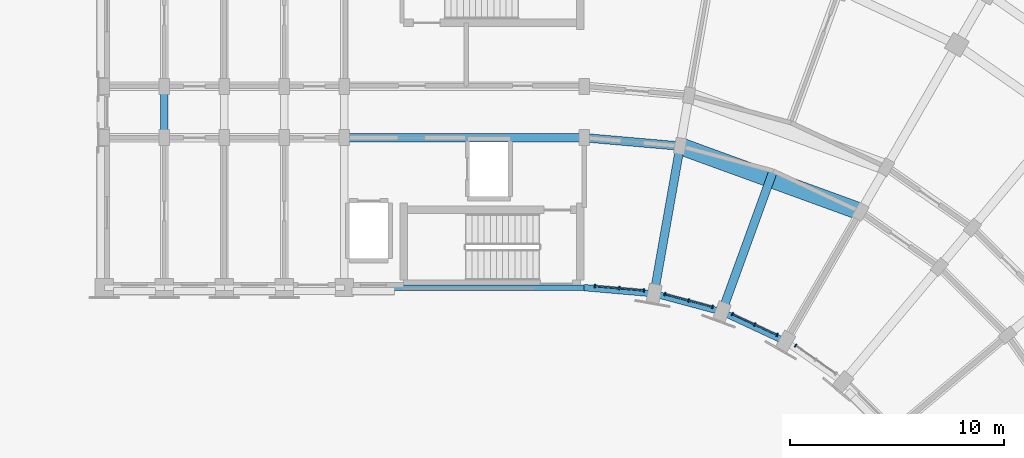
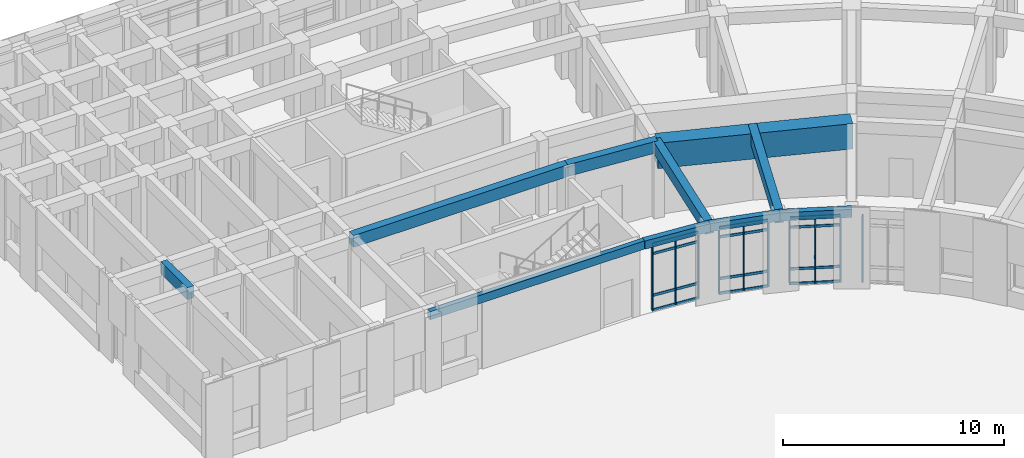
# One storey, part 45 of 135: 22 members, 10 beams, 4 elements without a shape of their own.
"""IFC4 building model written with IfcOpenShell, lengths in metres."""

from ifc_helpers import new_model, si_unit, direction, frame, origin, origin_2d, place, context, subcontext, project, spatial, rectangle, extrude, material, material_profile, profile_set, type_object, element, aggregate, save


model = new_model("IFC4")

# Units and contexts
model_context = context("Model", 3, precision=1e-05, world=origin(), true_north=direction((0.0, 1.0)))
body_context = subcontext(model_context, "Body", "Model", "MODEL_VIEW")
ifc_project = project(units=[si_unit("LENGTHUNIT", "METRE"), si_unit("AREAUNIT", "SQUARE_METRE"), si_unit("VOLUMEUNIT", "CUBIC_METRE"), si_unit("PLANEANGLEUNIT", "RADIAN"), si_unit("MASSUNIT", "GRAM", prefix="KILO")], contexts=[model_context])

# Site, building, storey
site_placement = place(None, origin())
site = spatial("IfcSite", under=ifc_project, at=site_placement, CompositionType="ELEMENT")
building_placement = place(site_placement, origin())
building = spatial("IfcBuilding", under=site, at=building_placement, Name="Kiranvali Square Residences", CompositionType="ELEMENT")
storey_placement = place(building_placement, origin())
storey = spatial("IfcBuildingStorey", under=building, at=storey_placement, Name="L00", CompositionType="ELEMENT", Elevation=0.0)

# Beams
ifc_material_1 = material(Name="Concrete M40 (40 MPa)", Category="concrete")
ifc_material_profile_1 = material_profile(ifc_material_1, rectangle(XDim=0.35009765625, YDim=0.64990234375, at=origin_2d()), Name="RC 350x650")
ifc_profile_set_1 = profile_set([ifc_material_profile_1], Name="Concrete M40 (40 MPa)")
beam_type_1 = type_object("IfcBeamType", Name="BM-M40-350x650", PredefinedType="BEAM", material=ifc_profile_set_1)
beam_1_placement = place(storey_placement, frame((100.199951171875, 113.60009765625, 3.824951171875), z_axis=(0.0, 1.0, 0.0), x_axis=(-1.0, 0.0, 0.0)))
element("IfcBeam", 1, at=beam_1_placement, inside=storey, type_object=beam_type_1, Name="L00 beam BM-B-L00-A1T4-12", PredefinedType="BEAM", context=body_context, shape_type="SweptSolid", body=[
    extrude(rectangle(XDim=0.35009765625, YDim=0.64990234375, at=origin_2d()), origin(), (0.0, 0.0, 1.0), 2.39990234375),
])
ifc_material_2 = material(Name="Concrete M45 (45 MPa)", Category="concrete")
ifc_material_profile_2 = material_profile(ifc_material_2, rectangle(XDim=0.39990234375, YDim=0.64990234375, at=origin_2d()), Name="RC 400x650")
ifc_profile_set_2 = profile_set([ifc_material_profile_2], Name="Concrete M45 (45 MPa)")
beam_type_2 = type_object("IfcBeamType", Name="BM-M45-400x650", PredefinedType="BEAM", material=ifc_profile_set_2)
beam_2_placement = place(storey_placement, frame((119.800048828125, 113.60009765625, 3.824951171875), z_axis=(0.996191949488, -0.087187153726, 0.0), x_axis=(0.087187153726, 0.996191949488, 0.0)))
element("IfcBeam", 2, at=beam_2_placement, inside=storey, type_object=beam_type_2, Name="L00 beam BM-B-L00-C00-R1", PredefinedType="BEAM", context=body_context, shape_type="SweptSolid", body=[
    extrude(rectangle(XDim=0.39990234375, YDim=0.64990234375, at=origin_2d()), origin(), (0.0, 0.0, 1.0), 4.4970703125),
])
beam_3_placement = place(storey_placement, frame((123.064697265625, 106.314453125, 3.824951171875), z_axis=(0.173622177865, 0.984812337125, 0.0), x_axis=(-0.984812337125, 0.173622177865, 0.0)))
element("IfcBeam", 3, at=beam_3_placement, inside=storey, type_object=beam_type_2, Name="L00 beam BM-B-L00-RAD01-01", PredefinedType="BEAM", context=body_context, shape_type="SweptSolid", body=[
    extrude(rectangle(XDim=0.39990234375, YDim=0.64990234375, at=origin_2d()), origin(), (0.0, 0.0, 1.0), 6.999755859375),
])
beam_4_placement = place(storey_placement, frame((126.22998046875, 105.46630859375, 3.824951171875), z_axis=(0.342006283793, 0.939697665127, 0.0), x_axis=(-0.939697665127, 0.342006283793, 0.0)))
element("IfcBeam", 4, at=beam_4_placement, inside=storey, type_object=beam_type_2, Name="L00 beam BM-B-L00-RAD02-01", PredefinedType="BEAM", context=body_context, shape_type="SweptSolid", body=[
    extrude(rectangle(XDim=0.39990234375, YDim=0.64990234375, at=origin_2d()), origin(), (0.0, 0.0, 1.0), 7.0),
])
beam_5_placement = place(storey_placement, frame((119.800048828125, 113.60009765625, 3.824951171875), z_axis=(-1.0, 0.0, 0.0), x_axis=(0.0, -1.0, 0.0)))
element("IfcBeam", 5, at=beam_5_placement, inside=storey, type_object=beam_type_2, Name="L00 beam BM-B-L00-A1U0-R1", PredefinedType="BEAM", context=body_context, shape_type="SweptSolid", body=[
    extrude(rectangle(XDim=0.39990234375, YDim=0.64990234375, at=origin_2d()), origin(), (0.0, 0.0, 1.0), 11.199951171875),
])

# Curtain wall, members
ifc_material_3 = material(Name="Anodised bronze aluminium framing", Category="aluminium")
curtain_wall_type = type_object("IfcCurtainWallType", Name="CW-RET-SHOP", PredefinedType="USERDEFINED", material=ifc_material_3)
curtain_wall_1_placement = place(storey_placement, origin())
curtain_wall_1 = element("IfcCurtainWall", 6, at=curtain_wall_1_placement, inside=storey, type_object=curtain_wall_type, Name="Block B L00 garden foyer curtain wall 1", ObjectType="CURTAIN WALL", PredefinedType="USERDEFINED")
ifc_material_profile_3 = material_profile(ifc_material_3, rectangle(XDim=0.06494140625, YDim=0.159912109375, at=origin_2d()), Name="ALU 65x160")
ifc_profile_set_3 = profile_set([ifc_material_profile_3], Name="Anodised bronze aluminium framing")
member_type_1 = type_object("IfcMemberType", Name="CW-MUL-160", PredefinedType="MULLION", material=ifc_profile_set_3)
member_1_placement = place(storey_placement, frame((120.298583984375, 106.6767578125, 0.02001953125), z_axis=(0.0, 0.0, 1.0), x_axis=(0.996194698092, -0.087155742748, 0.0)))
member_1 = element("IfcMember", 7, at=member_1_placement, type_object=member_type_1, Name="CW-B-L00-GDN-00 vertical mullion 1", PredefinedType="MULLION", context=body_context, shape_type="SweptSolid", body=[
    extrude(rectangle(XDim=0.06494140625, YDim=0.159912109375, at=origin_2d()), origin(), (0.0, 0.0, 1.0), 3.659912109375),
])
member_2_placement = place(storey_placement, frame((121.44287109375, 106.57666015625, 0.02001953125), z_axis=(0.0, 0.0, 1.0), x_axis=(0.996194698092, -0.087155742748, 0.0)))
member_2 = element("IfcMember", 8, at=member_2_placement, type_object=member_type_1, Name="CW-B-L00-GDN-00 vertical mullion 2", PredefinedType="MULLION", context=body_context, shape_type="SweptSolid", body=[
    extrude(rectangle(XDim=0.06494140625, YDim=0.159912109375, at=origin_2d()), origin(), (0.0, 0.0, 1.0), 3.659912109375),
])
member_3_placement = place(storey_placement, frame((122.5869140625, 106.4765625, 0.02001953125), z_axis=(0.0, 0.0, 1.0), x_axis=(0.996194698092, -0.087155742748, 0.0)))
member_3 = element("IfcMember", 9, at=member_3_placement, type_object=member_type_1, Name="CW-B-L00-GDN-00 vertical mullion 3", PredefinedType="MULLION", context=body_context, shape_type="SweptSolid", body=[
    extrude(rectangle(XDim=0.06494140625, YDim=0.159912109375, at=origin_2d()), origin(), (0.0, 0.0, 1.0), 3.659912109375),
])

curtain_wall_2_placement = place(storey_placement, origin())
curtain_wall_2 = element("IfcCurtainWall", 10, at=curtain_wall_2_placement, inside=storey, type_object=curtain_wall_type, Name="Block B L00 garden foyer curtain wall 2", ObjectType="CURTAIN WALL", PredefinedType="USERDEFINED")
member_4_placement = place(storey_placement, frame((123.56884765625, 106.303466796875, 0.02001953125), z_axis=(0.0, 0.0, 1.0), x_axis=(0.965925826289, -0.258819045103, 0.0)))
member_4 = element("IfcMember", 11, at=member_4_placement, type_object=member_type_1, Name="CW-B-L00-GDN-01 vertical mullion 1", PredefinedType="MULLION", context=body_context, shape_type="SweptSolid", body=[
    extrude(rectangle(XDim=0.06494140625, YDim=0.159912109375, at=origin_2d()), origin(), (0.0, 0.0, 1.0), 3.659912109375),
])
member_5_placement = place(storey_placement, frame((124.67822265625, 106.006103515625, 0.02001953125), z_axis=(0.0, 0.0, 1.0), x_axis=(0.965925826289, -0.258819045103, 0.0)))
member_5 = element("IfcMember", 12, at=member_5_placement, type_object=member_type_1, Name="CW-B-L00-GDN-01 vertical mullion 2", PredefinedType="MULLION", context=body_context, shape_type="SweptSolid", body=[
    extrude(rectangle(XDim=0.06494140625, YDim=0.159912109375, at=origin_2d()), origin(), (0.0, 0.0, 1.0), 3.659912109375),
])
member_6_placement = place(storey_placement, frame((125.787841796875, 105.708984375, 0.02001953125), z_axis=(0.0, 0.0, 1.0), x_axis=(0.965925826289, -0.258819045103, 0.0)))
member_6 = element("IfcMember", 13, at=member_6_placement, type_object=member_type_1, Name="CW-B-L00-GDN-01 vertical mullion 3", PredefinedType="MULLION", context=body_context, shape_type="SweptSolid", body=[
    extrude(rectangle(XDim=0.06494140625, YDim=0.159912109375, at=origin_2d()), origin(), (0.0, 0.0, 1.0), 3.659912109375),
])

curtain_wall_3_placement = place(storey_placement, origin())
curtain_wall_3 = element("IfcCurtainWall", 14, at=curtain_wall_3_placement, inside=storey, type_object=curtain_wall_type, Name="Block B L00 garden foyer curtain wall 3", ObjectType="CURTAIN WALL", PredefinedType="USERDEFINED")
member_7_placement = place(storey_placement, frame((126.724853515625, 105.367919921875, 0.02001953125), z_axis=(0.0, 0.0, 1.0), x_axis=(0.906307787037, -0.422618261741, 0.0)))
member_7 = element("IfcMember", 15, at=member_7_placement, type_object=member_type_1, Name="CW-B-L00-GDN-02 vertical mullion 1", PredefinedType="MULLION", context=body_context, shape_type="SweptSolid", body=[
    extrude(rectangle(XDim=0.06494140625, YDim=0.159912109375, at=origin_2d()), origin(), (0.0, 0.0, 1.0), 3.659912109375),
])
member_8_placement = place(storey_placement, frame((127.765625, 104.882568359375, 0.02001953125), z_axis=(0.0, 0.0, 1.0), x_axis=(0.906307787037, -0.422618261741, 0.0)))
member_8 = element("IfcMember", 16, at=member_8_placement, type_object=member_type_1, Name="CW-B-L00-GDN-02 vertical mullion 2", PredefinedType="MULLION", context=body_context, shape_type="SweptSolid", body=[
    extrude(rectangle(XDim=0.06494140625, YDim=0.159912109375, at=origin_2d()), origin(), (0.0, 0.0, 1.0), 3.659912109375),
])
member_9_placement = place(storey_placement, frame((128.806640625, 104.397216796875, 0.02001953125), z_axis=(0.0, 0.0, 1.0), x_axis=(0.906307787037, -0.422618261741, 0.0)))
member_9 = element("IfcMember", 17, at=member_9_placement, type_object=member_type_1, Name="CW-B-L00-GDN-02 vertical mullion 3", PredefinedType="MULLION", context=body_context, shape_type="SweptSolid", body=[
    extrude(rectangle(XDim=0.06494140625, YDim=0.159912109375, at=origin_2d()), origin(), (0.0, 0.0, 1.0), 3.659912109375),
])

# Curtain wall, member
curtain_wall_4_placement = place(storey_placement, origin())
curtain_wall_4 = element("IfcCurtainWall", 18, at=curtain_wall_4_placement, inside=storey, type_object=curtain_wall_type, Name="Block B L00 garden foyer curtain wall 4", ObjectType="CURTAIN WALL", PredefinedType="USERDEFINED")
member_10_placement = place(storey_placement, frame((129.670166015625, 103.8984375, 0.02001953125), z_axis=(0.0, 0.0, 1.0), x_axis=(0.819152044289, -0.573576436351, 0.0)))
member_10 = element("IfcMember", 19, at=member_10_placement, type_object=member_type_1, Name="CW-B-L00-GDN-03 vertical mullion 1", PredefinedType="MULLION", context=body_context, shape_type="SweptSolid", body=[
    extrude(rectangle(XDim=0.06494140625, YDim=0.159912109375, at=origin_2d()), origin(), (0.0, 0.0, 1.0), 3.659912109375),
])
aggregate(curtain_wall_4, [member_10])

# Member
ifc_material_profile_4 = material_profile(ifc_material_3, rectangle(XDim=0.06494140625, YDim=0.139892578125, at=origin_2d()), Name="ALU 65x140")
ifc_profile_set_4 = profile_set([ifc_material_profile_4], Name="Anodised bronze aluminium framing")
member_type_2 = type_object("IfcMemberType", Name="CW-TRN-140", PredefinedType="MULLION", material=ifc_profile_set_4)
member_11_placement = place(storey_placement, frame((120.30859375, 106.676025390625, 0.0400390625), z_axis=(0.996193368341, -0.08717094053, 0.0), x_axis=(0.08717094053, 0.996193368341, 0.0)))
member_11 = element("IfcMember", 20, at=member_11_placement, type_object=member_type_2, Name="CW-B-L00-GDN-00 horizontal transom 1", PredefinedType="MULLION", context=body_context, shape_type="SweptSolid", body=[
    extrude(rectangle(XDim=0.06494140625, YDim=0.139892578125, at=origin_2d()), origin(), (0.0, 0.0, 1.0), 2.277099609375),
])

member_12_placement = place(storey_placement, frame((120.30859375, 106.676025390625, 0.85009765625), z_axis=(0.996193368341, -0.08717094053, 0.0), x_axis=(0.08717094053, 0.996193368341, 0.0)))
member_12 = element("IfcMember", 21, at=member_12_placement, type_object=member_type_2, Name="CW-B-L00-GDN-00 horizontal transom 2", PredefinedType="MULLION", context=body_context, shape_type="SweptSolid", body=[
    extrude(rectangle(XDim=0.06494140625, YDim=0.139892578125, at=origin_2d()), origin(), (0.0, 0.0, 1.0), 2.277099609375),
])

member_13_placement = place(storey_placement, frame((120.30859375, 106.676025390625, 3.14990234375), z_axis=(0.996193368341, -0.08717094053, 0.0), x_axis=(0.08717094053, 0.996193368341, 0.0)))
member_13 = element("IfcMember", 22, at=member_13_placement, type_object=member_type_2, Name="CW-B-L00-GDN-00 horizontal transom 3", PredefinedType="MULLION", context=body_context, shape_type="SweptSolid", body=[
    extrude(rectangle(XDim=0.06494140625, YDim=0.139892578125, at=origin_2d()), origin(), (0.0, 0.0, 1.0), 2.277099609375),
])

member_14_placement = place(storey_placement, frame((120.30859375, 106.676025390625, 3.659912109375), z_axis=(0.996193368341, -0.08717094053, 0.0), x_axis=(0.08717094053, 0.996193368341, 0.0)))
member_14 = element("IfcMember", 23, at=member_14_placement, type_object=member_type_2, Name="CW-B-L00-GDN-00 horizontal transom 4", PredefinedType="MULLION", context=body_context, shape_type="SweptSolid", body=[
    extrude(rectangle(XDim=0.06494140625, YDim=0.139892578125, at=origin_2d()), origin(), (0.0, 0.0, 1.0), 2.277099609375),
])

aggregate(curtain_wall_1, [member_1, member_2, member_3, member_11, member_12, member_13, member_14])

member_15_placement = place(storey_placement, frame((123.57861328125, 106.30078125, 0.0400390625), z_axis=(0.965924600635, -0.258823619262, 0.0), x_axis=(0.258823619262, 0.965924600635, 0.0)))
member_15 = element("IfcMember", 24, at=member_15_placement, type_object=member_type_2, Name="CW-B-L00-GDN-01 horizontal transom 1", PredefinedType="MULLION", context=body_context, shape_type="SweptSolid", body=[
    extrude(rectangle(XDim=0.06494140625, YDim=0.139892578125, at=origin_2d()), origin(), (0.0, 0.0, 1.0), 2.277099609375),
])

member_16_placement = place(storey_placement, frame((123.57861328125, 106.30078125, 0.85009765625), z_axis=(0.965924600635, -0.258823619262, 0.0), x_axis=(0.258823619262, 0.965924600635, 0.0)))
member_16 = element("IfcMember", 25, at=member_16_placement, type_object=member_type_2, Name="CW-B-L00-GDN-01 horizontal transom 2", PredefinedType="MULLION", context=body_context, shape_type="SweptSolid", body=[
    extrude(rectangle(XDim=0.06494140625, YDim=0.139892578125, at=origin_2d()), origin(), (0.0, 0.0, 1.0), 2.277099609375),
])

member_17_placement = place(storey_placement, frame((123.57861328125, 106.30078125, 3.14990234375), z_axis=(0.965924600635, -0.258823619262, 0.0), x_axis=(0.258823619262, 0.965924600635, 0.0)))
member_17 = element("IfcMember", 26, at=member_17_placement, type_object=member_type_2, Name="CW-B-L00-GDN-01 horizontal transom 3", PredefinedType="MULLION", context=body_context, shape_type="SweptSolid", body=[
    extrude(rectangle(XDim=0.06494140625, YDim=0.139892578125, at=origin_2d()), origin(), (0.0, 0.0, 1.0), 2.277099609375),
])

member_18_placement = place(storey_placement, frame((123.57861328125, 106.30078125, 3.659912109375), z_axis=(0.965924600635, -0.258823619262, 0.0), x_axis=(0.258823619262, 0.965924600635, 0.0)))
member_18 = element("IfcMember", 27, at=member_18_placement, type_object=member_type_2, Name="CW-B-L00-GDN-01 horizontal transom 4", PredefinedType="MULLION", context=body_context, shape_type="SweptSolid", body=[
    extrude(rectangle(XDim=0.06494140625, YDim=0.139892578125, at=origin_2d()), origin(), (0.0, 0.0, 1.0), 2.277099609375),
])

aggregate(curtain_wall_2, [member_4, member_5, member_6, member_15, member_16, member_17, member_18])

member_19_placement = place(storey_placement, frame((126.73388671875, 105.36376953125, 0.0400390625), z_axis=(0.906295410754, -0.42264480175, 0.0), x_axis=(0.42264480175, 0.906295410754, 0.0)))
member_19 = element("IfcMember", 28, at=member_19_placement, type_object=member_type_2, Name="CW-B-L00-GDN-02 horizontal transom 1", PredefinedType="MULLION", context=body_context, shape_type="SweptSolid", body=[
    extrude(rectangle(XDim=0.06494140625, YDim=0.139892578125, at=origin_2d()), origin(), (0.0, 0.0, 1.0), 2.277099609375),
])

member_20_placement = place(storey_placement, frame((126.73388671875, 105.36376953125, 0.85009765625), z_axis=(0.906295410754, -0.42264480175, 0.0), x_axis=(0.42264480175, 0.906295410754, 0.0)))
member_20 = element("IfcMember", 29, at=member_20_placement, type_object=member_type_2, Name="CW-B-L00-GDN-02 horizontal transom 2", PredefinedType="MULLION", context=body_context, shape_type="SweptSolid", body=[
    extrude(rectangle(XDim=0.06494140625, YDim=0.139892578125, at=origin_2d()), origin(), (0.0, 0.0, 1.0), 2.277099609375),
])

member_21_placement = place(storey_placement, frame((126.73388671875, 105.36376953125, 3.14990234375), z_axis=(0.906295410754, -0.42264480175, 0.0), x_axis=(0.42264480175, 0.906295410754, 0.0)))
member_21 = element("IfcMember", 30, at=member_21_placement, type_object=member_type_2, Name="CW-B-L00-GDN-02 horizontal transom 3", PredefinedType="MULLION", context=body_context, shape_type="SweptSolid", body=[
    extrude(rectangle(XDim=0.06494140625, YDim=0.139892578125, at=origin_2d()), origin(), (0.0, 0.0, 1.0), 2.277099609375),
])

member_22_placement = place(storey_placement, frame((126.73388671875, 105.36376953125, 3.659912109375), z_axis=(0.906295410754, -0.42264480175, 0.0), x_axis=(0.42264480175, 0.906295410754, 0.0)))
member_22 = element("IfcMember", 31, at=member_22_placement, type_object=member_type_2, Name="CW-B-L00-GDN-02 horizontal transom 4", PredefinedType="MULLION", context=body_context, shape_type="SweptSolid", body=[
    extrude(rectangle(XDim=0.06494140625, YDim=0.139892578125, at=origin_2d()), origin(), (0.0, 0.0, 1.0), 2.277099609375),
])

aggregate(curtain_wall_3, [member_7, member_8, member_9, member_19, member_20, member_21, member_22])

# Beams
ifc_material_profile_5 = material_profile(ifc_material_1, rectangle(XDim=0.25, YDim=0.449951171875, at=origin_2d()), Name="RC 250x450")
ifc_profile_set_5 = profile_set([ifc_material_profile_5], Name="Concrete M40 (40 MPa)")
beam_type_3 = type_object("IfcBeamType", Name="SPN-M40-250x450", PredefinedType="SPANDREL", material=ifc_profile_set_5)
beam_6_placement = place(storey_placement, frame((119.800048828125, 106.60009765625, 3.925048828125), z_axis=(-1.0, 0.0, 0.0), x_axis=(0.0, -1.0, 0.0)))
element("IfcBeam", 32, at=beam_6_placement, inside=storey, type_object=beam_type_3, Name="L00 beam BM-B-L00-A1U0-R0", PredefinedType="SPANDREL", context=body_context, shape_type="SweptSolid", body=[
    extrude(rectangle(XDim=0.25, YDim=0.449951171875, at=origin_2d()), origin(), (0.0, 0.0, 1.0), 11.199951171875),
])
ifc_material_profile_6 = material_profile(ifc_material_1, rectangle(XDim=0.300048828125, YDim=0.449951171875, at=origin_2d()), Name="RC 300x450")
ifc_profile_set_6 = profile_set([ifc_material_profile_6], Name="Concrete M40 (40 MPa)")
beam_type_4 = type_object("IfcBeamType", Name="SPN-M40-300x450", PredefinedType="SPANDREL", material=ifc_profile_set_6)
beam_7_placement = place(storey_placement, frame((119.800048828125, 106.60009765625, 3.925048828125), z_axis=(0.996194040944, -0.087163253657, 0.0), x_axis=(0.087163253657, 0.996194040944, 0.0)))
element("IfcBeam", 33, at=beam_7_placement, inside=storey, type_object=beam_type_4, Name="L00 beam BM-B-L00-C00-R0", PredefinedType="SPANDREL", context=body_context, shape_type="SweptSolid", body=[
    extrude(rectangle(XDim=0.300048828125, YDim=0.449951171875, at=origin_2d()), origin(), (0.0, 0.0, 1.0), 3.277099609375),
])
beam_8_placement = place(storey_placement, frame((123.064697265625, 106.314453125, 3.925048828125), z_axis=(0.965925105099, -0.258821736607, 0.0), x_axis=(0.258821736607, 0.965925105099, 0.0)))
element("IfcBeam", 34, at=beam_8_placement, inside=storey, type_object=beam_type_4, Name="L00 beam BM-B-L00-C01-R0", PredefinedType="SPANDREL", context=body_context, shape_type="SweptSolid", body=[
    extrude(rectangle(XDim=0.300048828125, YDim=0.449951171875, at=origin_2d()), origin(), (0.0, 0.0, 1.0), 3.27685546875),
])
beam_9_placement = place(storey_placement, frame((126.22998046875, 105.46630859375, 3.925048828125), z_axis=(0.90629730464, -0.422640740585, 0.0), x_axis=(0.422640740585, 0.90629730464, 0.0)))
element("IfcBeam", 35, at=beam_9_placement, inside=storey, type_object=beam_type_4, Name="L00 beam BM-B-L00-C02-R0", PredefinedType="SPANDREL", context=body_context, shape_type="SweptSolid", body=[
    extrude(rectangle(XDim=0.300048828125, YDim=0.449951171875, at=origin_2d()), origin(), (0.0, 0.0, 1.0), 3.277099609375),
])
ifc_material_4 = material(Name="Concrete M50 (50 MPa)", Category="concrete")
ifc_material_profile_7 = material_profile(ifc_material_4, rectangle(XDim=0.800048828125, YDim=1.39990234375, at=origin_2d()), Name="RC 800x1400")
ifc_profile_set_7 = profile_set([ifc_material_profile_7], Name="Concrete M50 (50 MPa)")
beam_type_5 = type_object("IfcBeamType", Name="TG-M50-800x1400", PredefinedType="USERDEFINED", material=ifc_profile_set_7)
beam_10_placement = place(storey_placement, frame((124.280029296875, 113.2080078125, 3.449951171875), z_axis=(0.939697922535, -0.342005576538, 0.0), x_axis=(0.342005576538, 0.939697922535, 0.0)))
element("IfcBeam", 36, at=beam_10_placement, inside=storey, type_object=beam_type_5, Name="Block B foyer transfer girder TG-R1", ObjectType="TRANSFER GIRDER", PredefinedType="USERDEFINED", context=body_context, shape_type="SweptSolid", body=[
    extrude(rectangle(XDim=0.800048828125, YDim=1.39990234375, at=origin_2d()), origin(), (0.0, 0.0, 1.0), 8.960205078125),
])

save(model, "model.ifc")
